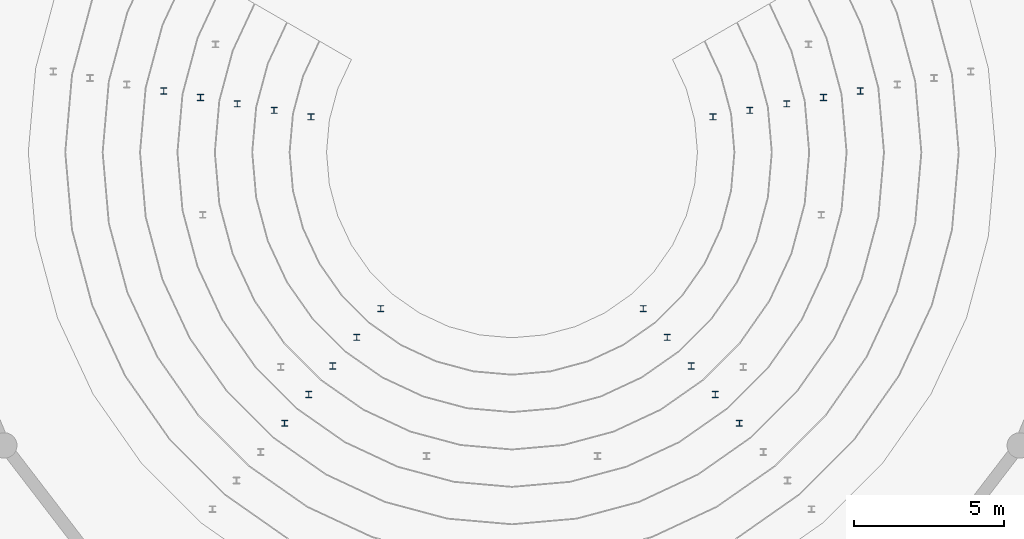
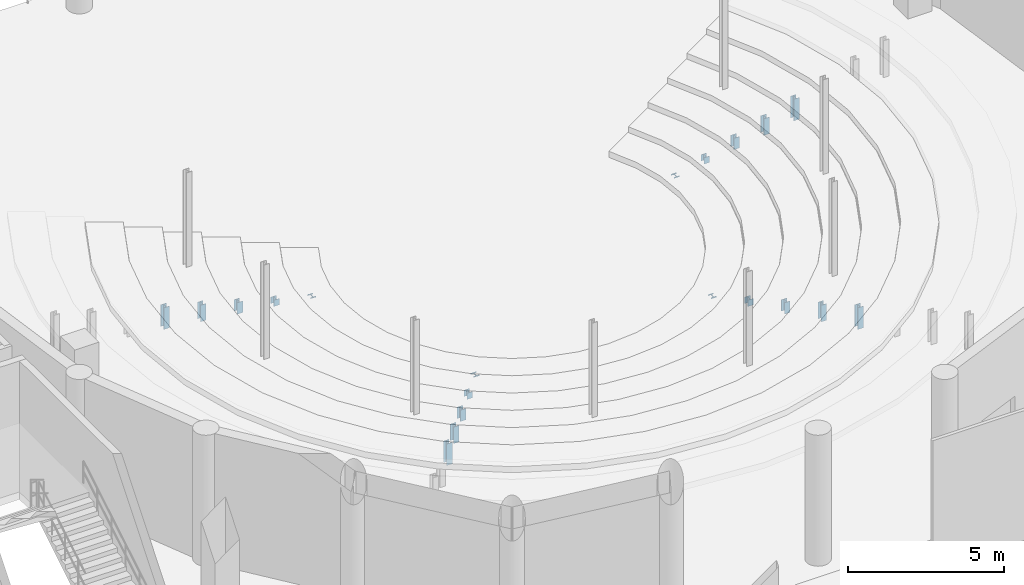
# One storey, part 28 of 103: 20 columns.
"""IFC4 building model written with IfcOpenShell, lengths in metres."""

from ifc_helpers import new_model, si_unit, direction, frame, origin, origin_2d, place, context, subcontext, project, spatial, i_section, extrude, material, material_profile, profile_set, type_object, element, save


model = new_model("IFC4")

# Units and contexts
model_context = context("Model", 3, precision=1e-05, world=origin(), true_north=direction((0.0, 1.0)))
body_context = subcontext(model_context, "Body", "Model", "MODEL_VIEW")
ifc_project = project(units=[si_unit("LENGTHUNIT", "METRE"), si_unit("AREAUNIT", "SQUARE_METRE"), si_unit("VOLUMEUNIT", "CUBIC_METRE"), si_unit("PLANEANGLEUNIT", "RADIAN"), si_unit("MASSUNIT", "GRAM", prefix="KILO")], contexts=[model_context])

# Site, building, storey
site_placement = place(None, origin())
site = spatial("IfcSite", under=ifc_project, at=site_placement, CompositionType="ELEMENT")
building_placement = place(site_placement, origin())
building = spatial("IfcBuilding", under=site, at=building_placement, Name="Marnock Terrace Opera House", CompositionType="ELEMENT")
storey_placement = place(building_placement, origin())
storey = spatial("IfcBuildingStorey", under=building, at=storey_placement, Name="L00", CompositionType="ELEMENT", Elevation=0.0)

# Columns
ifc_material = material(Name="Steel Grade 350 (AS/NZS 3679.1)", Category="steel")
ifc_material_profile = material_profile(ifc_material, i_section(OverallWidth=0.205078125, OverallDepth=0.209716796875, WebThickness=0.00927734375, FlangeThickness=0.01416015625, FilletRadius=0.011474609375, at=origin_2d()))
ifc_profile_set = profile_set([ifc_material_profile], Name="Steel Grade 350 (AS/NZS 3679.1)")
column_type = type_object("IfcColumnType", Name="COL-UC200", PredefinedType="COLUMN", material=ifc_profile_set)
for number, where, z_axis, x_axis, name in (
    (1, (75.27880859375, 61.68505859375, 0.0), (0.0, 0.0, 1.0), (1.0, 0.0, 0.0), "L00 Stalls tier 1 support post 2"),
    (2, (77.613037109375, 55.271728515625, 0.0), (0.0, 0.0, 1.0), (1.0, 0.0, 0.0), "L00 Stalls tier 1 support post 8"),
    (3, (86.386962890625, 55.271728515625, 0.0), (0.0, 0.0, 1.0), (1.0, 0.0, 0.0), "L00 Stalls tier 1 support post 16"),
    (4, (88.72119140625, 61.68505859375, 0.0), (0.0, 0.0, 1.0), (1.0, 0.0, 0.0), "L00 Stalls tier 1 support post 22"),
):
    element("IfcColumn", number, at=place(storey_placement, frame(where, z_axis=z_axis, x_axis=x_axis)), inside=storey, type_object=column_type, Name=name, PredefinedType="COLUMN", context=body_context, shape_type="SweptSolid", body=[
        extrude(i_section(OverallWidth=0.205078125, OverallDepth=0.209716796875, WebThickness=0.00927734375, FlangeThickness=0.01416015625, FilletRadius=0.011474609375, at=origin_2d()), origin(), (0.0, 0.0, 1.0), 0.044921875),
    ])
for number, where, z_axis, x_axis, name in (
    (5, (74.047607421875, 61.902099609375, 0.0), (0.0, 0.0, 1.0), (1.0, 0.0, 0.0), "L00 Stalls tier 2 support post 2"),
    (6, (76.8095703125, 54.314208984375, 0.0), (0.0, 0.0, 1.0), (1.0, 0.0, 0.0), "L00 Stalls tier 2 support post 8"),
    (7, (87.1904296875, 54.314208984375, 0.0), (0.0, 0.0, 1.0), (1.0, 0.0, 0.0), "L00 Stalls tier 2 support post 16"),
    (8, (89.952392578125, 61.902099609375, 0.0), (0.0, 0.0, 1.0), (1.0, 0.0, 0.0), "L00 Stalls tier 2 support post 22"),
):
    element("IfcColumn", number, at=place(storey_placement, frame(where, z_axis=z_axis, x_axis=x_axis)), inside=storey, type_object=column_type, Name=name, PredefinedType="COLUMN", context=body_context, shape_type="SweptSolid", body=[
        extrude(i_section(OverallWidth=0.205078125, OverallDepth=0.209716796875, WebThickness=0.00927734375, FlangeThickness=0.01416015625, FilletRadius=0.011474609375, at=origin_2d()), origin(), (0.0, 0.0, 1.0), 0.2451171875),
    ])
for number, where, z_axis, x_axis, name in (
    (9, (72.816650390625, 62.119384765625, 0.0), (0.0, 0.0, 1.0), (1.0, 0.0, 0.0), "L00 Stalls tier 3 support post 2"),
    (10, (76.006103515625, 53.356689453125, 0.0), (0.0, 0.0, 1.0), (1.0, 0.0, 0.0), "L00 Stalls tier 3 support post 8"),
    (11, (87.993896484375, 53.356689453125, 0.0), (0.0, 0.0, 1.0), (1.0, 0.0, 0.0), "L00 Stalls tier 3 support post 16"),
    (12, (91.183349609375, 62.119384765625, 0.0), (0.0, 0.0, 1.0), (1.0, 0.0, 0.0), "L00 Stalls tier 3 support post 22"),
):
    element("IfcColumn", number, at=place(storey_placement, frame(where, z_axis=z_axis, x_axis=x_axis)), inside=storey, type_object=column_type, Name=name, PredefinedType="COLUMN", context=body_context, shape_type="SweptSolid", body=[
        extrude(i_section(OverallWidth=0.205078125, OverallDepth=0.209716796875, WebThickness=0.00927734375, FlangeThickness=0.01416015625, FilletRadius=0.011474609375, at=origin_2d()), origin(), (0.0, 0.0, 1.0), 0.445068359375),
    ])
for number, where, z_axis, x_axis, name in (
    (13, (71.585693359375, 62.336181640625, 0.0), (0.0, 0.0, 1.0), (1.0, 0.0, 0.0), "L00 Stalls tier 4 support post 2"),
    (14, (75.202392578125, 52.399169921875, 0.0), (0.0, 0.0, 1.0), (1.0, 0.0, 0.0), "L00 Stalls tier 4 support post 8"),
    (15, (88.797607421875, 52.399169921875, 0.0), (0.0, 0.0, 1.0), (1.0, 0.0, 0.0), "L00 Stalls tier 4 support post 16"),
    (16, (92.414306640625, 62.336181640625, 0.0), (0.0, 0.0, 1.0), (1.0, 0.0, 0.0), "L00 Stalls tier 4 support post 22"),
):
    element("IfcColumn", number, at=place(storey_placement, frame(where, z_axis=z_axis, x_axis=x_axis)), inside=storey, type_object=column_type, Name=name, PredefinedType="COLUMN", context=body_context, shape_type="SweptSolid", body=[
        extrude(i_section(OverallWidth=0.205078125, OverallDepth=0.209716796875, WebThickness=0.00927734375, FlangeThickness=0.01416015625, FilletRadius=0.011474609375, at=origin_2d()), origin(), (0.0, 0.0, 1.0), 0.64501953125),
    ])
for number, where, z_axis, x_axis, name in (
    (17, (70.3544921875, 62.553466796875, 0.0), (0.0, 0.0, 1.0), (1.0, 0.0, 0.0), "L00 Stalls tier 5 support post 2"),
    (18, (74.39892578125, 51.44140625, 0.0), (0.0, 0.0, 1.0), (1.0, 0.0, 0.0), "L00 Stalls tier 5 support post 8"),
    (19, (89.60107421875, 51.44140625, 0.0), (0.0, 0.0, 1.0), (1.0, 0.0, 0.0), "L00 Stalls tier 5 support post 16"),
    (20, (93.6455078125, 62.553466796875, 0.0), (0.0, 0.0, 1.0), (1.0, 0.0, 0.0), "L00 Stalls tier 5 support post 22"),
):
    element("IfcColumn", number, at=place(storey_placement, frame(where, z_axis=z_axis, x_axis=x_axis)), inside=storey, type_object=column_type, Name=name, PredefinedType="COLUMN", context=body_context, shape_type="SweptSolid", body=[
        extrude(i_section(OverallWidth=0.205078125, OverallDepth=0.209716796875, WebThickness=0.00927734375, FlangeThickness=0.01416015625, FilletRadius=0.011474609375, at=origin_2d()), origin(), (0.0, 0.0, 1.0), 0.844970703125),
    ])

save(model, "model.ifc")
